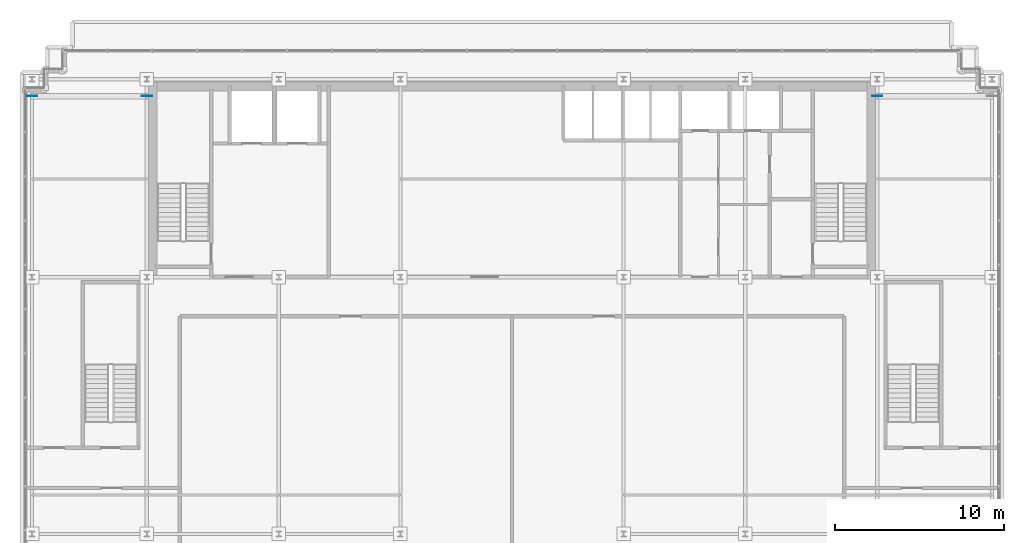
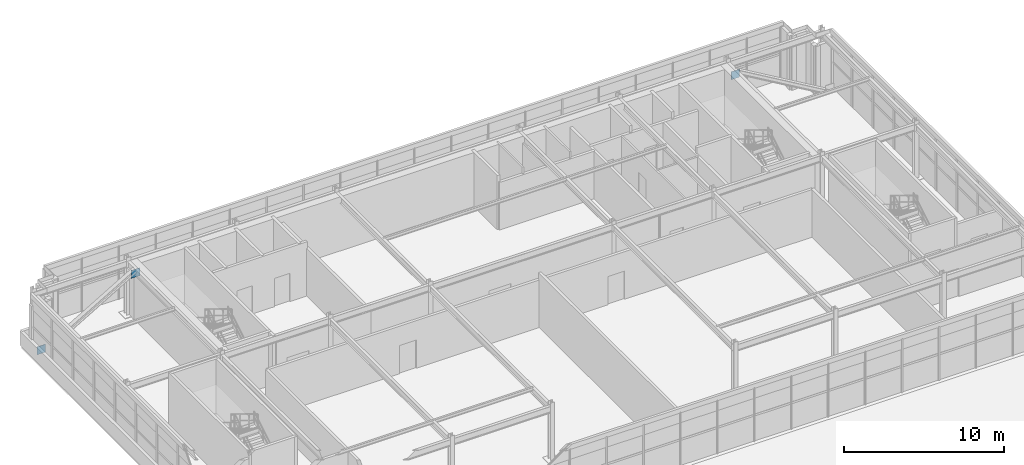
# One storey, part 28 of 38: 3 plates.
"""IFC4 building model written with IfcOpenShell, lengths in metres."""

import ifcopenshell
import ifcopenshell.guid

model = None  # the IFC model being written
_history = None  # IfcOwnerHistory: only IFC2X3 demands one
_inside = {}  # id of a spatial element -> (the spatial element, [elements in it])
_under = {}  # id of a project, library or spatial element -> (it, [spatial elements below it])
_declared = {}  # id of a project -> (the project, [libraries it declares])
_typed = {}  # id of a type object -> (the type object, [elements of that type])
_made_of = {}  # id of a material, layer set ... -> (it, [elements and type objects made of it])


def new_model(schema):
    """Start an empty IFC model of exactly this schema.

    Asked for "IFC4X3", IfcOpenShell would pick the latest addendum, in which some entities
    have other attributes; the version numbers below select the first issue.
    IFC2X3 requires an IfcOwnerHistory on every rooted entity: one is made here for all.
    """
    global model, _history
    if schema == "IFC4X3":
        model = ifcopenshell.file(schema_version=(4, 3, 0, 0))
    else:
        model = ifcopenshell.file(schema=schema)
    _inside.clear()
    _under.clear()
    _declared.clear()
    _typed.clear()
    _made_of.clear()
    _history = None
    if model.schema == "IFC2X3":
        org = make("IfcOrganization", Name="unknown")
        user = make(
            "IfcPersonAndOrganization",
            ThePerson=make("IfcPerson", FamilyName="unknown"),
            TheOrganization=org,
        )
        app = make(
            "IfcApplication",
            ApplicationDeveloper=org,
            Version="unknown",
            ApplicationFullName="unknown",
            ApplicationIdentifier="unknown",
        )
        _history = make(
            "IfcOwnerHistory",
            OwningUser=user,
            OwningApplication=app,
            ChangeAction="ADDED",
            CreationDate=0,
        )
    return model


def make(cls, **values):
    """One entity of the class cls with the attributes given. An attribute that is None is left unset."""
    return model.create_entity(
        cls, **{name: value for name, value in values.items() if value is not None}
    )


def rooted(cls, **values):
    """An entity with a GlobalId (a new one), such as an element, a storey or a relation."""
    return make(cls, GlobalId=ifcopenshell.guid.new(), OwnerHistory=_history, **values)


def si_unit(unit_type, name, prefix=None):
    """IfcSIUnit, for example si_unit("LENGTHUNIT", "METRE", prefix="MILLI")."""
    return make("IfcSIUnit", UnitType=unit_type, Prefix=prefix, Name=name)


def assignment(units):
    """IfcUnitAssignment: the units of a project."""
    return None if units is None else make("IfcUnitAssignment", Units=units)


def point(xyz):
    """IfcCartesianPoint."""
    return None if xyz is None else make("IfcCartesianPoint", Coordinates=xyz)


def direction(xyz):
    """IfcDirection."""
    return None if xyz is None else make("IfcDirection", DirectionRatios=xyz)


def frame(location, z_axis=None, x_axis=None):
    """IfcAxis2Placement3D, a coordinate frame: its origin and axes. An axis left out is left unset."""
    return make(
        "IfcAxis2Placement3D",
        Location=point(location),
        Axis=direction(z_axis),
        RefDirection=direction(x_axis),
    )


def frame_2d(location, x_axis=None):
    """IfcAxis2Placement2D, a coordinate frame in the plane: its origin and x axis."""
    return make(
        "IfcAxis2Placement2D", Location=point(location), RefDirection=direction(x_axis)
    )


def origin():
    """The frame at (0, 0, 0) with its axes left unset."""
    return frame((0.0, 0.0, 0.0))


def origin_2d():
    """The frame at (0, 0) in the plane with its x axis left unset."""
    return frame_2d((0.0, 0.0))


def place(relative_to, where):
    """IfcLocalPlacement: puts the frame where relative to a parent placement (None: the world)."""
    return make(
        "IfcLocalPlacement", PlacementRelTo=relative_to, RelativePlacement=where
    )


def context(
    kind, dimensions, precision=None, world=None, true_north=None, identifier=None
):
    """IfcGeometricRepresentationContext, for example the 3D "Model" context."""
    return make(
        "IfcGeometricRepresentationContext",
        ContextIdentifier=identifier,
        ContextType=kind,
        CoordinateSpaceDimension=dimensions,
        Precision=precision,
        WorldCoordinateSystem=world,
        TrueNorth=true_north,
    )


def subcontext(parent, identifier, kind, view, scale=None):
    """IfcGeometricRepresentationSubContext, for example "Body" below "Model"."""
    return make(
        "IfcGeometricRepresentationSubContext",
        ContextIdentifier=identifier,
        ContextType=kind,
        ParentContext=parent,
        TargetScale=scale,
        TargetView=view,
    )


def project(units=None, contexts=None):
    """IfcProject with its units and contexts."""
    return rooted(
        "IfcProject",
        Name="project",
        RepresentationContexts=contexts,
        UnitsInContext=assignment(units),
    )


def spatial(cls, under=None, at=None, **own):
    """A site, building, storey or space (cls), placed at a placement, below another one or the project."""
    s = rooted(cls, ObjectPlacement=at, **own)
    if under is not None:
        _under.setdefault(under.id(), (under, []))[1].append(s)
    return s


def profile(cls, at=None, kind="AREA", **sizes):
    """A parametric profile (cls). Its sizes go by their IFC names, for example OverallWidth=200.0."""
    return make(cls, ProfileType=kind, Position=at, **sizes)


def rectangle(**sizes):
    """IfcRectangleProfileDef."""
    return profile("IfcRectangleProfileDef", **sizes)


def extrude(swept, where, along, depth):
    """IfcExtrudedAreaSolid: the profile swept, set in the frame where, extruded along a direction by depth."""
    return make(
        "IfcExtrudedAreaSolid",
        SweptArea=swept,
        Position=where,
        ExtrudedDirection=direction(along),
        Depth=depth,
    )


def shape(context_of_items, identifier, shape_type, items):
    """IfcShapeRepresentation: the items that make up one representation, for example the "Body"."""
    return make(
        "IfcShapeRepresentation",
        ContextOfItems=context_of_items,
        RepresentationIdentifier=identifier,
        RepresentationType=shape_type,
        Items=items,
    )


def source(mapping_origin, context_of_items, identifier, shape_type, items):
    """IfcRepresentationMap: a shape defined once, which mapped items show again and again."""
    return make(
        "IfcRepresentationMap",
        MappingOrigin=mapping_origin,
        MappedRepresentation=shape(context_of_items, identifier, shape_type, items),
    )


def transform(
    local_origin,
    x_axis=None,
    y_axis=None,
    z_axis=None,
    scale=None,
    scale2=None,
    scale3=None,
    uniform=True,
):
    """IfcCartesianTransformationOperator3D, or its non-uniform kind. x_axis, y_axis, z_axis: its Axis1, 2, 3."""
    if uniform:
        return make(
            "IfcCartesianTransformationOperator3D",
            Axis1=direction(x_axis),
            Axis2=direction(y_axis),
            LocalOrigin=point(local_origin),
            Scale=scale,
            Axis3=direction(z_axis),
        )
    return make(
        "IfcCartesianTransformationOperator3DnonUniform",
        Axis1=direction(x_axis),
        Axis2=direction(y_axis),
        LocalOrigin=point(local_origin),
        Scale=scale,
        Axis3=direction(z_axis),
        Scale2=scale2,
        Scale3=scale3,
    )


def mapped(mapping_source, mapping_target):
    """IfcMappedItem: shows the shape of a source again, moved by a transform."""
    return make(
        "IfcMappedItem", MappingSource=mapping_source, MappingTarget=mapping_target
    )


def material(Name=None, Category=None):
    """IfcMaterial."""
    return make("IfcMaterial", Name=Name, Category=Category)


def layer(
    of_material, thickness, ventilated=None, Name=None, Category=None, Priority=None
):
    """IfcMaterialLayer: one layer of a wall or slab, of a material (None: an air gap)."""
    return make(
        "IfcMaterialLayer",
        Material=of_material,
        LayerThickness=thickness,
        IsVentilated=ventilated,
        Name=Name,
        Category=Category,
        Priority=Priority,
    )


def layer_set(layers, Name=None):
    """IfcMaterialLayerSet."""
    return make("IfcMaterialLayerSet", MaterialLayers=layers, LayerSetName=Name)


def made_of(thing, what):
    """Note that an element or type object is made of a material, layer set ...; save() writes the relation."""
    if what is not None:
        _made_of.setdefault(what.id(), (what, []))[1].append(thing)
    return thing


def type_object(cls, material=None, **own):
    """A type object (cls), such as IfcWallType, which elements share."""
    return made_of(rooted(cls, **own), material)


def element(
    cls,
    number,
    at=None,
    inside=None,
    cuts=None,
    type_object=None,
    material=None,
    context=None,
    identifier="Body",
    shape_type=None,
    held_by="IfcProductDefinitionShape",
    body=None,
    shapes=None,
    **own,
):
    """One element of the class cls, such as IfcWall. Its Tag is "e" and its number.

    at: its placement. inside: the storey or other place that contains it. cuts: it is an
    opening in that element (IfcRelVoidsElement). A single representation is given by context,
    identifier, shape_type and body (its items); several are given by shapes. held_by: the class
    of the entity that holds the representations. save() writes the other relations.
    """
    e = rooted(cls, Tag="e%d" % number, ObjectPlacement=at, **own)
    if body is not None:
        shapes = [shape(context, identifier, shape_type, body)]
    if shapes is not None:
        e.Representation = make(held_by, Representations=shapes)
    if inside is not None:
        _inside.setdefault(inside.id(), (inside, []))[1].append(e)
    if cuts is not None:
        rooted(
            "IfcRelVoidsElement", RelatingBuildingElement=cuts, RelatedOpeningElement=e
        )
    if type_object is not None:
        _typed.setdefault(type_object.id(), (type_object, []))[1].append(e)
    return made_of(e, material)


def aggregate(whole, parts):
    """IfcRelAggregates: a whole, such as a stair, and the parts it consists of."""
    return rooted("IfcRelAggregates", RelatingObject=whole, RelatedObjects=parts)


def save(model, path):
    """Write the relations noted so far, then the file.

    IfcRelAggregates (storeys below a building ...), IfcRelContainedInSpatialStructure (elements
    in a storey), IfcRelDefinesByType, IfcRelAssociatesMaterial and IfcRelDeclares: one each for
    every whole, place, type object, material and project.
    """
    for whole, parts in _under.values():
        aggregate(whole, parts)
    for where, things in _inside.values():
        rooted(
            "IfcRelContainedInSpatialStructure",
            RelatedElements=things,
            RelatingStructure=where,
        )
    for kind, things in _typed.values():
        rooted("IfcRelDefinesByType", RelatedObjects=things, RelatingType=kind)
    for what, things in _made_of.values():
        rooted("IfcRelAssociatesMaterial", RelatedObjects=things, RelatingMaterial=what)
    for by, libraries in _declared.values():
        rooted("IfcRelDeclares", RelatingContext=by, RelatedDefinitions=libraries)
    model.write(path)


model = new_model("IFC4")

# Units and contexts
model_context = context("Model", 3, precision=1e-05, world=origin(), true_north=direction((0.0, 1.0)))
body_context = subcontext(model_context, "Body", "Model", "MODEL_VIEW")
ifc_project = project(units=[si_unit("LENGTHUNIT", "METRE"), si_unit("AREAUNIT", "SQUARE_METRE"), si_unit("VOLUMEUNIT", "CUBIC_METRE"), si_unit("PLANEANGLEUNIT", "RADIAN"), si_unit("MASSUNIT", "GRAM", prefix="KILO")], contexts=[model_context])

# Site, building, storey
site_placement = place(None, origin())
site = spatial("IfcSite", under=ifc_project, at=site_placement, CompositionType="ELEMENT")
building_placement = place(site_placement, origin())
building = spatial("IfcBuilding", under=site, at=building_placement, Name="Trelvane Seafront Commons", CompositionType="ELEMENT")
storey_placement = place(building_placement, frame((0.0, 0.0, 299.10009765625)))
storey = spatial("IfcBuildingStorey", under=building, at=storey_placement, Name="L78", CompositionType="ELEMENT", Elevation=299.10009765625)

# Plates
ifc_material = material(Name="Steel SM355 (S355)", Category="steel")
ifc_layer = layer(ifc_material, 0.031982421875, Name="STR-PLT-GUS2")
ifc_layer_set = layer_set([ifc_layer], Name="Steel SM355 (S355)")
plate_type = type_object("IfcPlateType", Name="STR-PLT-GUS2", PredefinedType="SHEET", material=ifc_layer_set)
shared_shape = source(origin(), body_context, "Body", "SweptSolid", [
    extrude(rectangle(XDim=0.60009765625, YDim=0.031982421875, at=origin_2d()), origin(), (0.0, 0.0, 1.0), 0.60009765625),
])
for number, where, z_axis, x_axis, name in (
    (1, (8.800048828125, 44.10009765625, -0.020263671875), (0.0, 0.0, 1.0), (1.0, 0.0, 0.0), "L78 Brace Connection Gusset Plate GP-119"),
    (2, (15.60009765625, 44.10009765625, 3.419921875), (0.0, 0.0, 1.0), (1.0, 0.0, 0.0), "L78 Brace Connection Gusset Plate GP-120"),
    (3, (58.800048828125, 44.10009765625, 3.419921875), (0.0, 0.0, 1.0), (1.0, 0.0, 0.0), "L78 Brace Connection Gusset Plate GP-122"),
):
    element("IfcPlate", number, at=place(storey_placement, frame(where, z_axis=z_axis, x_axis=x_axis)), inside=storey, type_object=plate_type, Name=name, PredefinedType="SHEET", context=body_context, shape_type="MappedRepresentation", body=[
        mapped(shared_shape, transform((0.0, 0.0, 0.0), x_axis=(1.0, 0.0, 0.0), y_axis=(0.0, 1.0, 0.0), z_axis=(0.0, 0.0, 1.0), scale=1.0)),
    ])

save(model, "model.ifc")
